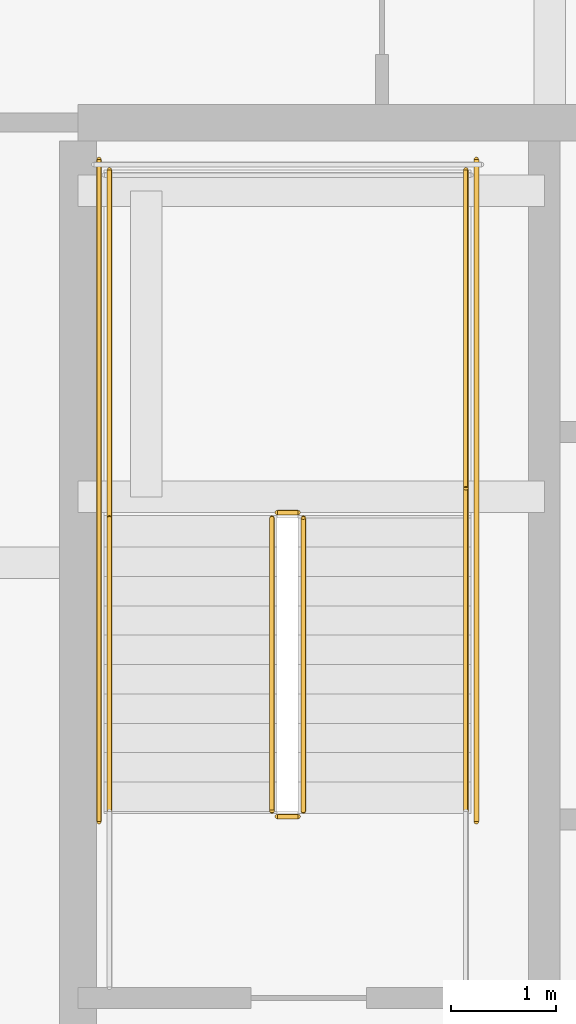
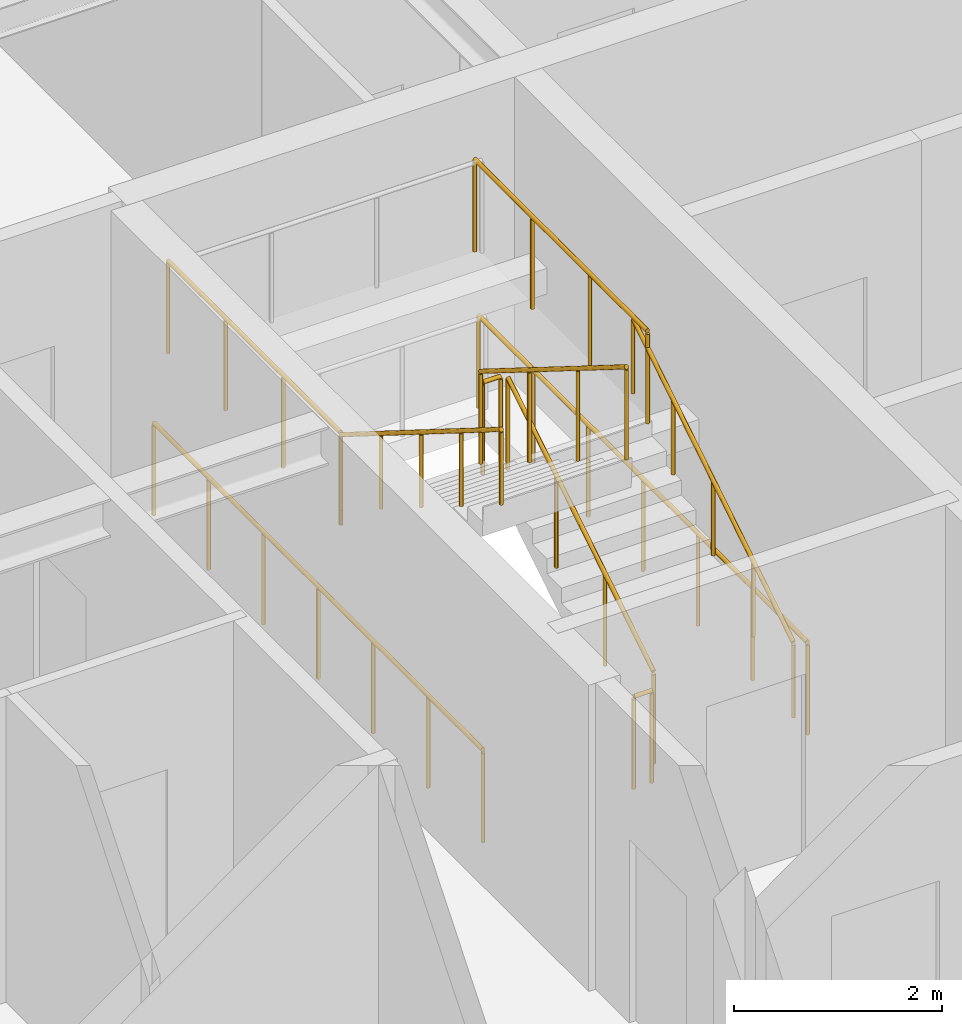
# One storey, part 36 of 39: 10 railings.
"""IFC4 building model written with IfcOpenShell, lengths in metres."""

from ifc_helpers import new_model, si_unit, direction, frame, origin, origin_2d, place, context, subcontext, project, spatial, circle, extrude, material, type_object, element, save


model = new_model("IFC4")

# Units and contexts
model_context = context("Model", 3, precision=1e-05, world=origin(), true_north=direction((0.0, 1.0)))
body_context = subcontext(model_context, "Body", "Model", "MODEL_VIEW")
ifc_project = project(units=[si_unit("LENGTHUNIT", "METRE"), si_unit("AREAUNIT", "SQUARE_METRE"), si_unit("VOLUMEUNIT", "CUBIC_METRE"), si_unit("PLANEANGLEUNIT", "RADIAN"), si_unit("MASSUNIT", "GRAM", prefix="KILO")], contexts=[model_context])

# Site, building, storey
site_placement = place(None, origin())
site = spatial("IfcSite", under=ifc_project, at=site_placement, CompositionType="ELEMENT")
building_placement = place(site_placement, origin())
building = spatial("IfcBuilding", under=site, at=building_placement, Name="Serunith Strait Residences", CompositionType="ELEMENT")
storey_placement = place(building_placement, frame((0.0, 0.0, 222.0)))
storey = spatial("IfcBuildingStorey", under=building, at=storey_placement, Name="L55", CompositionType="ELEMENT", Elevation=222.0)

# Railings
ifc_material = material(Name="Brushed stainless steel 316L", Category="steel")
railing_type_1 = type_object("IfcRailingType", Name="RLG-STAIR-GUARD", PredefinedType="BALUSTRADE", material=ifc_material)
railing_1_placement = place(storey_placement, frame((25.550048828125, 27.030029296875, 0.175048828125)))
element("IfcRailing", 1, at=railing_1_placement, inside=storey, type_object=railing_type_1, Name="L55 ST-1 stair guard 1", PredefinedType="BALUSTRADE", context=body_context, shape_type="SweptSolid", body=[
    extrude(circle(Radius=0.02392578125, at=origin_2d()), frame((0.0, 0.001708984375, 1.0771484375), z_axis=(0.0, 0.848002457836, 0.529992293815), x_axis=(-1.0, 0.0, 0.0)), (0.0, 0.0, 1.0), 3.2978515625),
    extrude(circle(Radius=0.02099609375, at=origin_2d()), origin(), (0.0, 0.0, 1.0), 1.050048828125),
    extrude(circle(Radius=0.02099609375, at=origin_2d()), frame((0.0, 0.933349609375, 0.583251953125)), (0.0, 0.0, 1.0), 1.050048828125),
    extrude(circle(Radius=0.02099609375, at=origin_2d()), frame((0.0, 1.86669921875, 1.166748046875)), (0.0, 0.0, 1.0), 1.050048828125),
    extrude(circle(Radius=0.02099609375, at=origin_2d()), frame((0.0, 2.800048828125, 1.75)), (0.0, 0.0, 1.0), 1.050048828125),
])
railing_2_placement = place(storey_placement, frame((25.5, 29.8798828125, 1.925048828125)))
element("IfcRailing", 2, at=railing_2_placement, inside=storey, type_object=railing_type_1, Name="L55 ST-1 stair guard 2", PredefinedType="BALUSTRADE", context=body_context, shape_type="SweptSolid", body=[
    extrude(circle(Radius=0.02392578125, at=origin_2d()), frame((-0.001953125, 0.0, 1.076171875), z_axis=(-1.0, 0.0, 0.0), x_axis=(0.0, -1.0, 0.0)), (0.0, 0.0, 1.0), 0.196044921875),
    extrude(circle(Radius=0.02099609375, at=origin_2d()), origin(), (0.0, 0.0, 1.0), 1.050048828125),
    extrude(circle(Radius=0.02099609375, at=origin_2d()), frame((-0.199951171875, 0.0, 0.0)), (0.0, 0.0, 1.0), 1.050048828125),
])
for number, where, name in (
    (3, (27.10009765625, 29.830078125, 1.925048828125), "L55 ST-1 stair guard 3"),
    (4, (23.699951171875, 29.830078125, 1.925048828125), "L55 ST-1 stair guard 4"),
):
    element("IfcRailing", number, at=place(storey_placement, frame(where)), inside=storey, type_object=railing_type_1, Name=name, PredefinedType="BALUSTRADE", context=body_context, shape_type="SweptSolid", body=[
        extrude(circle(Radius=0.02392578125, at=origin_2d()), frame((0.0, 0.001953125, 1.076171875), z_axis=(0.0, 1.0, 0.0), x_axis=(-1.0, 0.0, 0.0)), (0.0, 0.0, 1.0), 3.31591796875),
        extrude(circle(Radius=0.02099609375, at=origin_2d()), origin(), (0.0, 0.0, 1.0), 1.050048828125),
        extrude(circle(Radius=0.02099609375, at=origin_2d()), frame((0.0, 1.106689453125, 0.0)), (0.0, 0.0, 1.0), 1.050048828125),
        extrude(circle(Radius=0.02099609375, at=origin_2d()), frame((0.0, 2.213134765625, 0.0)), (0.0, 0.0, 1.0), 1.050048828125),
        extrude(circle(Radius=0.02099609375, at=origin_2d()), frame((0.0, 3.31982421875, 0.0)), (0.0, 0.0, 1.0), 1.050048828125),
    ])
railing_3_placement = place(storey_placement, frame((25.25, 29.830078125, 2.10009765625)))
element("IfcRailing", 5, at=railing_3_placement, inside=storey, type_object=railing_type_1, Name="L55 ST-1 stair guard 6", PredefinedType="BALUSTRADE", context=body_context, shape_type="SweptSolid", body=[
    extrude(circle(Radius=0.02392578125, at=origin_2d()), frame((0.0, -0.001708984375, 1.0771484375), z_axis=(0.0, -0.848002457836, 0.529992293815), x_axis=(1.0, 0.0, 0.0)), (0.0, 0.0, 1.0), 3.2978515625),
    extrude(circle(Radius=0.02099609375, at=origin_2d()), origin(), (0.0, 0.0, 1.0), 1.050048828125),
    extrude(circle(Radius=0.02099609375, at=origin_2d()), frame((0.0, -0.933349609375, 0.583251953125)), (0.0, 0.0, 1.0), 1.050048828125),
    extrude(circle(Radius=0.02099609375, at=origin_2d()), frame((0.0, -1.86669921875, 1.166748046875)), (0.0, 0.0, 1.0), 1.050048828125),
    extrude(circle(Radius=0.02099609375, at=origin_2d()), frame((0.0, -2.800048828125, 1.75)), (0.0, 0.0, 1.0), 1.050048828125),
])
railing_4_placement = place(storey_placement, frame((25.5, 26.97998046875, 0.0)))
element("IfcRailing", 6, at=railing_4_placement, inside=storey, type_object=railing_type_1, Name="L55 ST-1 stair guard 7", PredefinedType="BALUSTRADE", context=body_context, shape_type="SweptSolid", body=[
    extrude(circle(Radius=0.02392578125, at=origin_2d()), frame((-0.001953125, 0.0, 1.076171875), z_axis=(-1.0, 0.0, 0.0), x_axis=(0.0, -1.0, 0.0)), (0.0, 0.0, 1.0), 0.196044921875),
    extrude(circle(Radius=0.02099609375, at=origin_2d()), origin(), (0.0, 0.0, 1.0), 1.050048828125),
    extrude(circle(Radius=0.02099609375, at=origin_2d()), frame((-0.199951171875, 0.0, 0.0)), (0.0, 0.0, 1.0), 1.050048828125),
])
for number, where, name in (
    (7, (27.199951171875, 26.929931640625, 0.0), "L55 ST-1 stair guard 10"),
    (8, (23.60009765625, 26.929931640625, 0.0), "L55 ST-1 stair guard 11"),
):
    element("IfcRailing", number, at=place(storey_placement, frame(where)), inside=storey, type_object=railing_type_1, Name=name, PredefinedType="BALUSTRADE", context=body_context, shape_type="SweptSolid", body=[
        extrude(circle(Radius=0.02392578125, at=origin_2d()), frame((0.0, 0.001953125, 1.076171875), z_axis=(0.0, 1.0, 0.0), x_axis=(-1.0, 0.0, 0.0)), (0.0, 0.0, 1.0), 6.316162109375),
        extrude(circle(Radius=0.02099609375, at=origin_2d()), origin(), (0.0, 0.0, 1.0), 1.050048828125),
        extrude(circle(Radius=0.02099609375, at=origin_2d()), frame((0.0, 1.05322265625, 0.0)), (0.0, 0.0, 1.0), 1.050048828125),
        extrude(circle(Radius=0.02099609375, at=origin_2d()), frame((0.0, 2.106689453125, 0.0)), (0.0, 0.0, 1.0), 1.050048828125),
        extrude(circle(Radius=0.02099609375, at=origin_2d()), frame((0.0, 3.16015625, 0.0)), (0.0, 0.0, 1.0), 1.050048828125),
        extrude(circle(Radius=0.02099609375, at=origin_2d()), frame((0.0, 4.21337890625, 0.0)), (0.0, 0.0, 1.0), 1.050048828125),
        extrude(circle(Radius=0.02099609375, at=origin_2d()), frame((0.0, 5.2666015625, 0.0)), (0.0, 0.0, 1.0), 1.050048828125),
        extrude(circle(Radius=0.02099609375, at=origin_2d()), frame((0.0, 6.320068359375, 0.0)), (0.0, 0.0, 1.0), 1.050048828125),
    ])
railing_type_2 = type_object("IfcRailingType", Name="RLG-STAIR-HR", PredefinedType="HANDRAIL", material=ifc_material)
railing_5_placement = place(storey_placement, frame((27.10009765625, 27.030029296875, 0.175048828125)))
element("IfcRailing", 9, at=railing_5_placement, inside=storey, type_object=railing_type_2, Name="L55 ST-1 stair handrail 1", PredefinedType="HANDRAIL", context=body_context, shape_type="SweptSolid", body=[
    extrude(circle(Radius=0.02392578125, at=origin_2d()), frame((0.0, 0.001708984375, 0.876953125), z_axis=(0.0, 0.847393994688, 0.530964610654), x_axis=(-1.0, 0.0, 0.0)), (0.0, 0.0, 1.0), 3.630859375),
    extrude(circle(Radius=0.02099609375, at=origin_2d()), origin(), (0.0, 0.0, 1.0), 0.849853515625),
    extrude(circle(Radius=0.02099609375, at=origin_2d()), frame((0.0, 0.77001953125, 0.482421875)), (0.0, 0.0, 1.0), 0.849853515625),
    extrude(circle(Radius=0.02099609375, at=origin_2d()), frame((0.0, 1.5400390625, 0.96484375)), (0.0, 0.0, 1.0), 0.849853515625),
    extrude(circle(Radius=0.02099609375, at=origin_2d()), frame((0.0, 2.31005859375, 1.447509765625)), (0.0, 0.0, 1.0), 0.849853515625),
    extrude(circle(Radius=0.02099609375, at=origin_2d()), frame((0.0, 3.080078125, 1.929931640625)), (0.0, 0.0, 1.0), 0.849853515625),
])
railing_6_placement = place(storey_placement, frame((23.699951171875, 29.830078125, 2.10009765625)))
element("IfcRailing", 10, at=railing_6_placement, inside=storey, type_object=railing_type_2, Name="L55 ST-1 stair handrail 2", PredefinedType="HANDRAIL", context=body_context, shape_type="SweptSolid", body=[
    extrude(circle(Radius=0.02392578125, at=origin_2d()), frame((0.0, -0.001708984375, 0.876953125), z_axis=(0.0, -0.847393994688, 0.530964610654), x_axis=(1.0, 0.0, 0.0)), (0.0, 0.0, 1.0), 3.630859375),
    extrude(circle(Radius=0.02099609375, at=origin_2d()), origin(), (0.0, 0.0, 1.0), 0.849853515625),
    extrude(circle(Radius=0.02099609375, at=origin_2d()), frame((0.0, -0.77001953125, 0.482421875)), (0.0, 0.0, 1.0), 0.849853515625),
    extrude(circle(Radius=0.02099609375, at=origin_2d()), frame((0.0, -1.5400390625, 0.96484375)), (0.0, 0.0, 1.0), 0.849853515625),
    extrude(circle(Radius=0.02099609375, at=origin_2d()), frame((0.0, -2.31005859375, 1.447509765625)), (0.0, 0.0, 1.0), 0.849853515625),
    extrude(circle(Radius=0.02099609375, at=origin_2d()), frame((0.0, -3.080078125, 1.929931640625)), (0.0, 0.0, 1.0), 0.849853515625),
])

save(model, "model.ifc")
